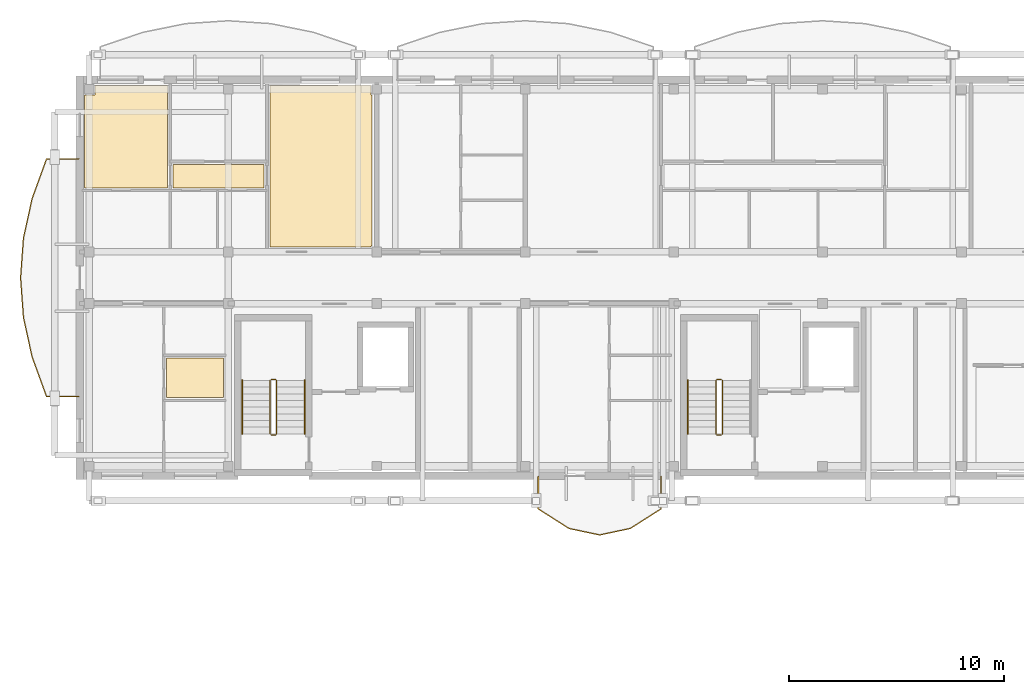
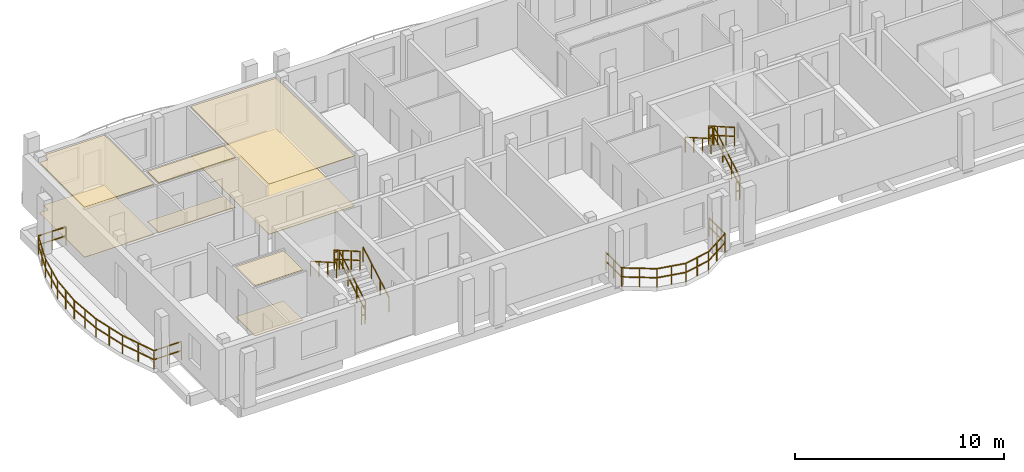
# One storey, part 38 of 44: 13 railings, 8 coverings.
"""IFC4 building model written with IfcOpenShell, lengths in metres."""

from ifc_helpers import new_model, si_unit, direction, frame, origin, origin_2d, place, context, subcontext, project, spatial, polyline, rectangle, outline, extrude, material, layer, layer_set, type_object, element, save


model = new_model("IFC4")

# Units and contexts
model_context = context("Model", 3, precision=1e-05, world=origin(), true_north=direction((0.0, 1.0)))
body_context = subcontext(model_context, "Body", "Model", "MODEL_VIEW")
ifc_project = project(units=[si_unit("LENGTHUNIT", "METRE"), si_unit("AREAUNIT", "SQUARE_METRE"), si_unit("VOLUMEUNIT", "CUBIC_METRE"), si_unit("PLANEANGLEUNIT", "RADIAN"), si_unit("MASSUNIT", "GRAM", prefix="KILO")], contexts=[model_context])

# Site, building, storey
site_placement = place(None, origin())
site = spatial("IfcSite", under=ifc_project, at=site_placement, CompositionType="ELEMENT")
building_placement = place(site_placement, origin())
building = spatial("IfcBuilding", under=site, at=building_placement, Name="Zavelmont Quarter", CompositionType="ELEMENT")
storey_placement = place(building_placement, frame((0.0, 0.0, 20.800048828125)))
storey = spatial("IfcBuildingStorey", under=building, at=storey_placement, Name="L06", CompositionType="ELEMENT", Elevation=20.800048828125)

# Coverings
ifc_material_1 = material(Name="Perforated acoustic gypsum board")
ifc_layer_1 = layer(ifc_material_1, 0.02490234375)
ifc_layer_set_1 = layer_set([ifc_layer_1], Name="Perforated acoustic gypsum board")
covering_type_1 = type_object("IfcCoveringType", Name="CV-CL01", PredefinedType="CEILING", material=ifc_layer_set_1)
covering_1_placement = place(storey_placement, frame((0.0, 0.0, 2.925048828125)))
element("IfcCovering", 1, at=covering_1_placement, inside=storey, type_object=covering_type_1, Name="L06 Double Bedroom acoustic ceiling", PredefinedType="CEILING", context=body_context, shape_type="SweptSolid", body=[
    extrude(outline(polyline([(0.22998046875, 115.294921875), (0.705078125, 115.294921875), (0.705078125, 115.719970703125), (4.070068359375, 115.719970703125), (4.070068359375, 110.97998046875), (0.22998046875, 110.97998046875), (0.22998046875, 115.294921875)])), origin(), (0.0, 0.0, 1.0), 0.02490234375),
])
covering_2_placement = place(storey_placement, frame((0.0, 0.0, 2.925048828125)))
element("IfcCovering", 2, at=covering_2_placement, inside=storey, type_object=covering_type_1, Name="L06 Living Dining acoustic ceiling", PredefinedType="CEILING", context=body_context, shape_type="SweptSolid", body=[
    extrude(outline(polyline([(8.830078125, 115.719970703125), (13.534912109375, 115.719970703125), (13.534912109375, 115.294921875), (13.570068359375, 115.294921875), (13.570068359375, 108.264892578125), (13.534912109375, 108.264892578125), (13.534912109375, 108.22998046875), (8.830078125, 108.22998046875), (8.830078125, 115.719970703125)])), origin(), (0.0, 0.0, 1.0), 0.02490234375),
])
ifc_material_2 = material(Name="Slatted European ash acoustic baffle ceiling")
ifc_layer_2 = layer(ifc_material_2, 0.0400390625)
ifc_layer_set_2 = layer_set([ifc_layer_2], Name="Slatted European ash acoustic baffle ceiling")
covering_type_2 = type_object("IfcCoveringType", Name="CV-CL02", PredefinedType="CEILING", material=ifc_layer_set_2)
covering_3_placement = place(storey_placement, frame((0.0, 0.0, 2.909912109375)))
element("IfcCovering", 3, at=covering_3_placement, inside=storey, type_object=covering_type_2, Name="L06 Apartment Hall acoustic ceiling", PredefinedType="CEILING", context=body_context, shape_type="SweptSolid", body=[
    extrude(outline(polyline([(4.330078125, 112.070068359375), (8.570068359375, 112.070068359375), (8.570068359375, 110.97998046875), (4.330078125, 110.97998046875), (4.330078125, 112.070068359375)])), origin(), (0.0, 0.0, 1.0), 0.0400390625),
])
ifc_material_3 = material(Name="Moisture-resistant painted gypsum ceiling")
ifc_layer_3 = layer(ifc_material_3, 0.02001953125)
ifc_layer_set_3 = layer_set([ifc_layer_3], Name="Moisture-resistant painted gypsum ceiling")
covering_type_3 = type_object("IfcCoveringType", Name="CV-CL04", PredefinedType="CEILING", material=ifc_layer_set_3)
covering_4_placement = place(storey_placement, frame((0.0, 0.0, 2.929931640625)))
element("IfcCovering", 4, at=covering_4_placement, inside=storey, type_object=covering_type_3, Name="L06 Bathroom acoustic ceiling", PredefinedType="CEILING", context=body_context, shape_type="SweptSolid", body=[
    extrude(outline(polyline([(4.030029296875, 103.070068359375), (6.669921875, 103.070068359375), (6.669921875, 101.22998046875), (4.030029296875, 101.22998046875), (4.030029296875, 103.070068359375)])), origin(), (0.0, 0.0, 1.0), 0.02001953125),
])
ifc_material_4 = material(Name="Engineered European oak parquet")
ifc_layer_4 = layer(ifc_material_4, 0.02197265625)
ifc_layer_set_4 = layer_set([ifc_layer_4], Name="Engineered European oak parquet")
covering_type_4 = type_object("IfcCoveringType", Name="CV-FL01", PredefinedType="FLOORING", material=ifc_layer_set_4)
covering_5_placement = place(storey_placement, origin())
element("IfcCovering", 5, at=covering_5_placement, inside=storey, type_object=covering_type_4, Name="L06 Double Bedroom floor finish", PredefinedType="FLOORING", context=body_context, shape_type="SweptSolid", body=[
    extrude(outline(polyline([(0.22998046875, 115.294921875), (0.705078125, 115.294921875), (0.705078125, 115.719970703125), (4.070068359375, 115.719970703125), (4.070068359375, 110.97998046875), (0.22998046875, 110.97998046875), (0.22998046875, 115.294921875)])), origin(), (0.0, 0.0, 1.0), 0.02197265625),
])
covering_6_placement = place(storey_placement, origin())
element("IfcCovering", 6, at=covering_6_placement, inside=storey, type_object=covering_type_4, Name="L06 Living Dining floor finish", PredefinedType="FLOORING", context=body_context, shape_type="SweptSolid", body=[
    extrude(outline(polyline([(8.830078125, 115.719970703125), (13.534912109375, 115.719970703125), (13.534912109375, 115.294921875), (13.570068359375, 115.294921875), (13.570068359375, 108.264892578125), (13.534912109375, 108.264892578125), (13.534912109375, 108.22998046875), (8.830078125, 108.22998046875), (8.830078125, 115.719970703125)])), origin(), (0.0, 0.0, 1.0), 0.02197265625),
])
ifc_material_5 = material(Name="Honed Belgian bluestone tile", Category="masonry")
ifc_layer_5 = layer(ifc_material_5, 0.030029296875)
ifc_layer_set_5 = layer_set([ifc_layer_5], Name="Honed Belgian bluestone tile")
covering_type_5 = type_object("IfcCoveringType", Name="CV-FL02", PredefinedType="FLOORING", material=ifc_layer_set_5)
covering_7_placement = place(storey_placement, origin())
element("IfcCovering", 7, at=covering_7_placement, inside=storey, type_object=covering_type_5, Name="L06 Apartment Hall floor finish", PredefinedType="FLOORING", context=body_context, shape_type="SweptSolid", body=[
    extrude(outline(polyline([(4.330078125, 112.070068359375), (8.570068359375, 112.070068359375), (8.570068359375, 110.97998046875), (4.330078125, 110.97998046875), (4.330078125, 112.070068359375)])), origin(), (0.0, 0.0, 1.0), 0.030029296875),
])
ifc_material_6 = material(Name="Slip-resistant porcelain tile")
ifc_layer_6 = layer(ifc_material_6, 0.02587890625)
ifc_layer_set_6 = layer_set([ifc_layer_6], Name="Slip-resistant porcelain tile")
covering_type_6 = type_object("IfcCoveringType", Name="CV-FL04", PredefinedType="FLOORING", material=ifc_layer_set_6)
covering_8_placement = place(storey_placement, origin())
element("IfcCovering", 8, at=covering_8_placement, inside=storey, type_object=covering_type_6, Name="L06 Bathroom floor finish", PredefinedType="FLOORING", context=body_context, shape_type="SweptSolid", body=[
    extrude(outline(polyline([(4.030029296875, 103.070068359375), (6.669921875, 103.070068359375), (6.669921875, 101.22998046875), (4.030029296875, 101.22998046875), (4.030029296875, 103.070068359375)])), origin(), (0.0, 0.0, 1.0), 0.02587890625),
])

# Railings
ifc_material_7 = material(Name="Powder-coated steel and tempered double safety glass", Category="steel")
railing_type_1 = type_object("IfcRailingType", Name="RL-BAL1", PredefinedType="BALUSTRADE", material=ifc_material_7)
railing_1_placement = place(storey_placement, frame((-0.02001953125, 112.325439453125, 0.0)))
element("IfcRailing", 9, at=railing_1_placement, inside=storey, type_object=railing_type_1, Name="L06 Block B curved balcony guard RL-BAL1", PredefinedType="BALUSTRADE", context=body_context, shape_type="SweptSolid", body=[
    extrude(rectangle(XDim=0.048095703125, YDim=0.048095703125, at=origin_2d()), frame((0.0, 0.0, 1.076171875), z_axis=(-1.0, 0.0, 0.0), x_axis=(0.0, -1.0, 0.0)), (0.0, 0.0, 1.0), 1.518798828125),
    extrude(rectangle(XDim=0.048095703125, YDim=0.048095703125, at=origin_2d()), frame((0.0, 0.0, 0.550048828125), z_axis=(-1.0, 0.0, 0.0), x_axis=(0.0, -1.0, 0.0)), (0.0, 0.0, 1.0), 1.518798828125),
    extrude(rectangle(XDim=0.048095703125, YDim=0.048095703125, at=origin_2d()), frame((-1.518798828125, 0.0, 1.076171875), z_axis=(-0.342702755055, -0.939443889584, 0.0), x_axis=(0.939443889584, -0.342702755055, 0.0)), (0.0, 0.0, 1.0), 1.96044921875),
    extrude(rectangle(XDim=0.048095703125, YDim=0.048095703125, at=origin_2d()), frame((-1.518798828125, 0.0, 0.550048828125), z_axis=(-0.342702755055, -0.939443889584, 0.0), x_axis=(0.939443889584, -0.342702755055, 0.0)), (0.0, 0.0, 1.0), 1.96044921875),
    extrude(rectangle(XDim=0.048095703125, YDim=0.048095703125, at=origin_2d()), frame((-2.190673828125, -1.841796875, 1.076171875), z_axis=(-0.213789561022, -0.976879738554, 0.0), x_axis=(0.976879738554, -0.213789561022, 0.0)), (0.0, 0.0, 1.0), 1.885498046875),
    extrude(rectangle(XDim=0.048095703125, YDim=0.048095703125, at=origin_2d()), frame((-2.190673828125, -1.841796875, 0.550048828125), z_axis=(-0.213789561022, -0.976879738554, 0.0), x_axis=(0.976879738554, -0.213789561022, 0.0)), (0.0, 0.0, 1.0), 1.885498046875),
    extrude(rectangle(XDim=0.048095703125, YDim=0.048095703125, at=origin_2d()), frame((-2.59375, -3.68359375, 1.076171875), z_axis=(-0.072712634293, -0.997352932925, 0.0), x_axis=(0.997352932925, -0.072712634293, 0.0)), (0.0, 0.0, 1.0), 1.8466796875),
    extrude(rectangle(XDim=0.048095703125, YDim=0.048095703125, at=origin_2d()), frame((-2.59375, -3.68359375, 0.550048828125), z_axis=(-0.072712634293, -0.997352932925, 0.0), x_axis=(0.997352932925, -0.072712634293, 0.0)), (0.0, 0.0, 1.0), 1.8466796875),
    extrude(rectangle(XDim=0.048095703125, YDim=0.048095703125, at=origin_2d()), frame((-2.72802734375, -5.525390625, 1.076171875), z_axis=(0.072712634293, -0.997352932925, 0.0), x_axis=(0.997352932925, 0.072712634293, 0.0)), (0.0, 0.0, 1.0), 1.8466796875),
    extrude(rectangle(XDim=0.048095703125, YDim=0.048095703125, at=origin_2d()), frame((-2.72802734375, -5.525390625, 0.550048828125), z_axis=(0.072712634293, -0.997352932925, 0.0), x_axis=(0.997352932925, 0.072712634293, 0.0)), (0.0, 0.0, 1.0), 1.8466796875),
    extrude(rectangle(XDim=0.048095703125, YDim=0.048095703125, at=origin_2d()), frame((-2.59375, -7.3671875, 1.076171875), z_axis=(0.213762520604, -0.976885655942, 0.0), x_axis=(0.976885655942, 0.213762520604, 0.0)), (0.0, 0.0, 1.0), 1.8857421875),
    extrude(rectangle(XDim=0.048095703125, YDim=0.048095703125, at=origin_2d()), frame((-2.59375, -7.3671875, 0.550048828125), z_axis=(0.213762520604, -0.976885655942, 0.0), x_axis=(0.976885655942, 0.213762520604, 0.0)), (0.0, 0.0, 1.0), 1.8857421875),
    extrude(rectangle(XDim=0.048095703125, YDim=0.048095703125, at=origin_2d()), frame((-2.190673828125, -9.209228515625, 1.076171875), z_axis=(0.342702755055, -0.939443889584, 0.0), x_axis=(0.939443889584, 0.342702755055, 0.0)), (0.0, 0.0, 1.0), 1.96044921875),
    extrude(rectangle(XDim=0.048095703125, YDim=0.048095703125, at=origin_2d()), frame((-2.190673828125, -9.209228515625, 0.550048828125), z_axis=(0.342702755055, -0.939443889584, 0.0), x_axis=(0.939443889584, 0.342702755055, 0.0)), (0.0, 0.0, 1.0), 1.96044921875),
    extrude(rectangle(XDim=0.048095703125, YDim=0.048095703125, at=origin_2d()), frame((-1.518798828125, -11.051025390625, 1.076171875), z_axis=(1.0, 0.0, 0.0), x_axis=(0.0, 1.0, 0.0)), (0.0, 0.0, 1.0), 1.518798828125),
    extrude(rectangle(XDim=0.048095703125, YDim=0.048095703125, at=origin_2d()), frame((-1.518798828125, -11.051025390625, 0.550048828125), z_axis=(1.0, 0.0, 0.0), x_axis=(0.0, 1.0, 0.0)), (0.0, 0.0, 1.0), 1.518798828125),
    extrude(rectangle(XDim=0.0419921875, YDim=0.0419921875, at=origin_2d()), origin(), (0.0, 0.0, 1.0), 1.052001953125),
    extrude(rectangle(XDim=0.0419921875, YDim=0.0419921875, at=origin_2d()), frame((-0.75927734375, 0.0, 0.0)), (0.0, 0.0, 1.0), 1.052001953125),
    extrude(rectangle(XDim=0.0419921875, YDim=0.0419921875, at=origin_2d()), frame((-1.518798828125, 0.0, 0.0)), (0.0, 0.0, 1.0), 1.052001953125),
    extrude(rectangle(XDim=0.0419921875, YDim=0.0419921875, at=origin_2d()), frame((-1.854736328125, -0.9208984375, 0.0)), (0.0, 0.0, 1.0), 1.052001953125),
    extrude(rectangle(XDim=0.0419921875, YDim=0.0419921875, at=origin_2d()), frame((-2.190673828125, -1.841796875, 0.0)), (0.0, 0.0, 1.0), 1.052001953125),
    extrude(rectangle(XDim=0.0419921875, YDim=0.0419921875, at=origin_2d()), frame((-2.39208984375, -2.7626953125, 0.0)), (0.0, 0.0, 1.0), 1.052001953125),
    extrude(rectangle(XDim=0.0419921875, YDim=0.0419921875, at=origin_2d()), frame((-2.59375, -3.68359375, 0.0)), (0.0, 0.0, 1.0), 1.052001953125),
    extrude(rectangle(XDim=0.0419921875, YDim=0.0419921875, at=origin_2d()), frame((-2.660888671875, -4.6044921875, 0.0)), (0.0, 0.0, 1.0), 1.052001953125),
    extrude(rectangle(XDim=0.0419921875, YDim=0.0419921875, at=origin_2d()), frame((-2.72802734375, -5.525390625, 0.0)), (0.0, 0.0, 1.0), 1.052001953125),
    extrude(rectangle(XDim=0.0419921875, YDim=0.0419921875, at=origin_2d()), frame((-2.660888671875, -6.4462890625, 0.0)), (0.0, 0.0, 1.0), 1.052001953125),
    extrude(rectangle(XDim=0.0419921875, YDim=0.0419921875, at=origin_2d()), frame((-2.59375, -7.3671875, 0.0)), (0.0, 0.0, 1.0), 1.052001953125),
    extrude(rectangle(XDim=0.0419921875, YDim=0.0419921875, at=origin_2d()), frame((-2.39208984375, -8.2880859375, 0.0)), (0.0, 0.0, 1.0), 1.052001953125),
    extrude(rectangle(XDim=0.0419921875, YDim=0.0419921875, at=origin_2d()), frame((-2.190673828125, -9.209228515625, 0.0)), (0.0, 0.0, 1.0), 1.052001953125),
    extrude(rectangle(XDim=0.0419921875, YDim=0.0419921875, at=origin_2d()), frame((-1.854736328125, -10.130126953125, 0.0)), (0.0, 0.0, 1.0), 1.052001953125),
    extrude(rectangle(XDim=0.0419921875, YDim=0.0419921875, at=origin_2d()), frame((-1.518798828125, -11.051025390625, 0.0)), (0.0, 0.0, 1.0), 1.052001953125),
    extrude(rectangle(XDim=0.0419921875, YDim=0.0419921875, at=origin_2d()), frame((-0.75927734375, -11.051025390625, 0.0)), (0.0, 0.0, 1.0), 1.052001953125),
    extrude(rectangle(XDim=0.0419921875, YDim=0.0419921875, at=origin_2d()), frame((0.0, -11.051025390625, 0.0)), (0.0, 0.0, 1.0), 1.052001953125),
])
railing_2_placement = place(storey_placement, frame((21.300048828125, 97.580078125, 0.0)))
element("IfcRailing", 10, at=railing_2_placement, inside=storey, type_object=railing_type_1, Name="L06 Block B curved balcony guard RL-BAL1", PredefinedType="BALUSTRADE", context=body_context, shape_type="SweptSolid", body=[
    extrude(rectangle(XDim=0.048095703125, YDim=0.048095703125, at=origin_2d()), frame((0.0, 0.0, 1.076171875), z_axis=(0.0, -1.0, 0.0), x_axis=(1.0, 0.0, 0.0)), (0.0, 0.0, 1.0), 1.51904296875),
    extrude(rectangle(XDim=0.048095703125, YDim=0.048095703125, at=origin_2d()), frame((0.0, 0.0, 0.550048828125), z_axis=(0.0, -1.0, 0.0), x_axis=(1.0, 0.0, 0.0)), (0.0, 0.0, 1.0), 1.51904296875),
    extrude(rectangle(XDim=0.048095703125, YDim=0.048095703125, at=origin_2d()), frame((0.0, -1.51904296875, 1.076171875), z_axis=(0.843691245069, -0.536828727803, 0.0), x_axis=(0.536828727803, 0.843691245069, 0.0)), (0.0, 0.0, 1.0), 1.68896484375),
    extrude(rectangle(XDim=0.048095703125, YDim=0.048095703125, at=origin_2d()), frame((0.0, -1.51904296875, 0.550048828125), z_axis=(0.843691245069, -0.536828727803, 0.0), x_axis=(0.536828727803, 0.843691245069, 0.0)), (0.0, 0.0, 1.0), 1.68896484375),
    extrude(rectangle(XDim=0.048095703125, YDim=0.048095703125, at=origin_2d()), frame((1.425048828125, -2.42578125, 1.076171875), z_axis=(0.978232062941, -0.207513929733, 0.0), x_axis=(0.207513929733, 0.978232062941, 0.0)), (0.0, 0.0, 1.0), 1.45654296875),
    extrude(rectangle(XDim=0.048095703125, YDim=0.048095703125, at=origin_2d()), frame((1.425048828125, -2.42578125, 0.550048828125), z_axis=(0.978232062941, -0.207513929733, 0.0), x_axis=(0.207513929733, 0.978232062941, 0.0)), (0.0, 0.0, 1.0), 1.45654296875),
    extrude(rectangle(XDim=0.048095703125, YDim=0.048095703125, at=origin_2d()), frame((2.849853515625, -2.72802734375, 1.076171875), z_axis=(0.978239279237, 0.207479908805, 0.0), x_axis=(-0.207479908805, 0.978239279237, 0.0)), (0.0, 0.0, 1.0), 1.456787109375),
    extrude(rectangle(XDim=0.048095703125, YDim=0.048095703125, at=origin_2d()), frame((2.849853515625, -2.72802734375, 0.550048828125), z_axis=(0.978239279237, 0.207479908805, 0.0), x_axis=(-0.207479908805, 0.978239279237, 0.0)), (0.0, 0.0, 1.0), 1.456787109375),
    extrude(rectangle(XDim=0.048095703125, YDim=0.048095703125, at=origin_2d()), frame((4.27490234375, -2.42578125, 1.076171875), z_axis=(0.843691245069, 0.536828727803, 0.0), x_axis=(-0.536828727803, 0.843691245069, 0.0)), (0.0, 0.0, 1.0), 1.68896484375),
    extrude(rectangle(XDim=0.048095703125, YDim=0.048095703125, at=origin_2d()), frame((4.27490234375, -2.42578125, 0.550048828125), z_axis=(0.843691245069, 0.536828727803, 0.0), x_axis=(-0.536828727803, 0.843691245069, 0.0)), (0.0, 0.0, 1.0), 1.68896484375),
    extrude(rectangle(XDim=0.048095703125, YDim=0.048095703125, at=origin_2d()), frame((5.699951171875, -1.51904296875, 1.076171875), z_axis=(0.0, 1.0, 0.0), x_axis=(-1.0, 0.0, 0.0)), (0.0, 0.0, 1.0), 1.51904296875),
    extrude(rectangle(XDim=0.048095703125, YDim=0.048095703125, at=origin_2d()), frame((5.699951171875, -1.51904296875, 0.550048828125), z_axis=(0.0, 1.0, 0.0), x_axis=(-1.0, 0.0, 0.0)), (0.0, 0.0, 1.0), 1.51904296875),
    extrude(rectangle(XDim=0.0419921875, YDim=0.0419921875, at=origin_2d()), origin(), (0.0, 0.0, 1.0), 1.052001953125),
    extrude(rectangle(XDim=0.0419921875, YDim=0.0419921875, at=origin_2d()), frame((0.0, -0.759521484375, 0.0)), (0.0, 0.0, 1.0), 1.052001953125),
    extrude(rectangle(XDim=0.0419921875, YDim=0.0419921875, at=origin_2d()), frame((0.0, -1.51904296875, 0.0)), (0.0, 0.0, 1.0), 1.052001953125),
    extrude(rectangle(XDim=0.0419921875, YDim=0.0419921875, at=origin_2d()), frame((0.71240234375, -1.972412109375, 0.0)), (0.0, 0.0, 1.0), 1.052001953125),
    extrude(rectangle(XDim=0.0419921875, YDim=0.0419921875, at=origin_2d()), frame((1.425048828125, -2.42578125, 0.0)), (0.0, 0.0, 1.0), 1.052001953125),
    extrude(rectangle(XDim=0.0419921875, YDim=0.0419921875, at=origin_2d()), frame((2.137451171875, -2.576904296875, 0.0)), (0.0, 0.0, 1.0), 1.052001953125),
    extrude(rectangle(XDim=0.0419921875, YDim=0.0419921875, at=origin_2d()), frame((2.849853515625, -2.72802734375, 0.0)), (0.0, 0.0, 1.0), 1.052001953125),
    extrude(rectangle(XDim=0.0419921875, YDim=0.0419921875, at=origin_2d()), frame((3.5625, -2.576904296875, 0.0)), (0.0, 0.0, 1.0), 1.052001953125),
    extrude(rectangle(XDim=0.0419921875, YDim=0.0419921875, at=origin_2d()), frame((4.27490234375, -2.42578125, 0.0)), (0.0, 0.0, 1.0), 1.052001953125),
    extrude(rectangle(XDim=0.0419921875, YDim=0.0419921875, at=origin_2d()), frame((4.9873046875, -1.972412109375, 0.0)), (0.0, 0.0, 1.0), 1.052001953125),
    extrude(rectangle(XDim=0.0419921875, YDim=0.0419921875, at=origin_2d()), frame((5.699951171875, -1.51904296875, 0.0)), (0.0, 0.0, 1.0), 1.052001953125),
    extrude(rectangle(XDim=0.0419921875, YDim=0.0419921875, at=origin_2d()), frame((5.699951171875, -0.759521484375, 0.0)), (0.0, 0.0, 1.0), 1.052001953125),
    extrude(rectangle(XDim=0.0419921875, YDim=0.0419921875, at=origin_2d()), frame((5.699951171875, 0.0, 0.0)), (0.0, 0.0, 1.0), 1.052001953125),
])
ifc_material_8 = material(Name="Powder-coated steel stair guardrail", Category="steel")
railing_type_2 = type_object("IfcRailingType", Name="RL-GRD1", PredefinedType="GUARDRAIL", material=ifc_material_8)
railing_3_placement = place(storey_placement, frame((9.14990234375, 99.550048828125, 0.177734375)))
element("IfcRailing", 11, at=railing_3_placement, inside=storey, type_object=railing_type_2, Name="L06 ST03 stair guardrail 1", PredefinedType="GUARDRAIL", context=body_context, shape_type="SweptSolid", body=[
    extrude(rectangle(XDim=0.048095703125, YDim=0.048095703125, at=origin_2d()), frame((0.0, 0.0, 1.076171875), z_axis=(0.0, 0.867490628297, 0.497453525283), x_axis=(-1.0, 0.0, 0.0)), (0.0, 0.0, 1.0), 2.85888671875),
    extrude(rectangle(XDim=0.048095703125, YDim=0.048095703125, at=origin_2d()), frame((0.0, 0.0, 0.550048828125), z_axis=(0.0, 0.867490628297, 0.497453525283), x_axis=(-1.0, 0.0, 0.0)), (0.0, 0.0, 1.0), 2.85888671875),
    extrude(rectangle(XDim=0.0419921875, YDim=0.0419921875, at=origin_2d()), origin(), (0.0, 0.0, 1.0), 1.052001953125),
    extrude(rectangle(XDim=0.0419921875, YDim=0.0419921875, at=origin_2d()), frame((0.0, 0.82666015625, 0.47412109375)), (0.0, 0.0, 1.0), 1.052001953125),
    extrude(rectangle(XDim=0.0419921875, YDim=0.0419921875, at=origin_2d()), frame((0.0, 1.6533203125, 0.947998046875)), (0.0, 0.0, 1.0), 1.052001953125),
    extrude(rectangle(XDim=0.0419921875, YDim=0.0419921875, at=origin_2d()), frame((0.0, 2.47998046875, 1.422119140625)), (0.0, 0.0, 1.0), 1.052001953125),
])
railing_4_placement = place(storey_placement, frame((9.10009765625, 102.080078125, 1.599853515625)))
element("IfcRailing", 12, at=railing_4_placement, inside=storey, type_object=railing_type_2, Name="L06 ST03 stair guardrail 2", PredefinedType="GUARDRAIL", context=body_context, shape_type="SweptSolid", body=[
    extrude(rectangle(XDim=0.048095703125, YDim=0.048095703125, at=origin_2d()), frame((0.0, 0.0, 1.076171875), z_axis=(-1.0, 0.0, 0.0), x_axis=(0.0, -1.0, 0.0)), (0.0, 0.0, 1.0), 0.2001953125),
    extrude(rectangle(XDim=0.048095703125, YDim=0.048095703125, at=origin_2d()), frame((0.0, 0.0, 0.550048828125), z_axis=(-1.0, 0.0, 0.0), x_axis=(0.0, -1.0, 0.0)), (0.0, 0.0, 1.0), 0.2001953125),
    extrude(rectangle(XDim=0.0419921875, YDim=0.0419921875, at=origin_2d()), origin(), (0.0, 0.0, 1.0), 1.052001953125),
    extrude(rectangle(XDim=0.0419921875, YDim=0.0419921875, at=origin_2d()), frame((-0.2001953125, 0.0, 0.0)), (0.0, 0.0, 1.0), 1.052001953125),
])
railing_5_placement = place(storey_placement, frame((8.85009765625, 102.030029296875, 1.77783203125)))
element("IfcRailing", 13, at=railing_5_placement, inside=storey, type_object=railing_type_2, Name="L06 ST03 stair guardrail 3", PredefinedType="GUARDRAIL", context=body_context, shape_type="SweptSolid", body=[
    extrude(rectangle(XDim=0.048095703125, YDim=0.048095703125, at=origin_2d()), frame((0.0, 0.0, 1.076171875), z_axis=(0.0, -0.867490628297, 0.497453525283), x_axis=(1.0, 0.0, 0.0)), (0.0, 0.0, 1.0), 2.85888671875),
    extrude(rectangle(XDim=0.048095703125, YDim=0.048095703125, at=origin_2d()), frame((0.0, 0.0, 0.550048828125), z_axis=(0.0, -0.867490628297, 0.497453525283), x_axis=(1.0, 0.0, 0.0)), (0.0, 0.0, 1.0), 2.85888671875),
    extrude(rectangle(XDim=0.0419921875, YDim=0.0419921875, at=origin_2d()), origin(), (0.0, 0.0, 1.0), 1.052001953125),
    extrude(rectangle(XDim=0.0419921875, YDim=0.0419921875, at=origin_2d()), frame((0.0, -0.82666015625, 0.47412109375)), (0.0, 0.0, 1.0), 1.052001953125),
    extrude(rectangle(XDim=0.0419921875, YDim=0.0419921875, at=origin_2d()), frame((0.0, -1.6533203125, 0.947998046875)), (0.0, 0.0, 1.0), 1.052001953125),
    extrude(rectangle(XDim=0.0419921875, YDim=0.0419921875, at=origin_2d()), frame((0.0, -2.47998046875, 1.422119140625)), (0.0, 0.0, 1.0), 1.052001953125),
])
railing_6_placement = place(storey_placement, frame((9.10009765625, 99.5, 0.0)))
element("IfcRailing", 14, at=railing_6_placement, inside=storey, type_object=railing_type_2, Name="L06 ST03 stair guardrail 4", PredefinedType="GUARDRAIL", context=body_context, shape_type="SweptSolid", body=[
    extrude(rectangle(XDim=0.048095703125, YDim=0.048095703125, at=origin_2d()), frame((0.0, 0.0, 1.076171875), z_axis=(-1.0, 0.0, 0.0), x_axis=(0.0, -1.0, 0.0)), (0.0, 0.0, 1.0), 0.2001953125),
    extrude(rectangle(XDim=0.048095703125, YDim=0.048095703125, at=origin_2d()), frame((0.0, 0.0, 0.550048828125), z_axis=(-1.0, 0.0, 0.0), x_axis=(0.0, -1.0, 0.0)), (0.0, 0.0, 1.0), 0.2001953125),
    extrude(rectangle(XDim=0.0419921875, YDim=0.0419921875, at=origin_2d()), origin(), (0.0, 0.0, 1.0), 1.052001953125),
    extrude(rectangle(XDim=0.0419921875, YDim=0.0419921875, at=origin_2d()), frame((-0.2001953125, 0.0, 0.0)), (0.0, 0.0, 1.0), 1.052001953125),
])
railing_7_placement = place(storey_placement, frame((29.85009765625, 99.550048828125, 0.177734375)))
element("IfcRailing", 15, at=railing_7_placement, inside=storey, type_object=railing_type_2, Name="L06 ST04 stair guardrail 1", PredefinedType="GUARDRAIL", context=body_context, shape_type="SweptSolid", body=[
    extrude(rectangle(XDim=0.048095703125, YDim=0.048095703125, at=origin_2d()), frame((0.0, 0.0, 1.076171875), z_axis=(0.0, 0.867490628297, 0.497453525283), x_axis=(-1.0, 0.0, 0.0)), (0.0, 0.0, 1.0), 2.85888671875),
    extrude(rectangle(XDim=0.048095703125, YDim=0.048095703125, at=origin_2d()), frame((0.0, 0.0, 0.550048828125), z_axis=(0.0, 0.867490628297, 0.497453525283), x_axis=(-1.0, 0.0, 0.0)), (0.0, 0.0, 1.0), 2.85888671875),
    extrude(rectangle(XDim=0.0419921875, YDim=0.0419921875, at=origin_2d()), origin(), (0.0, 0.0, 1.0), 1.052001953125),
    extrude(rectangle(XDim=0.0419921875, YDim=0.0419921875, at=origin_2d()), frame((0.0, 0.82666015625, 0.47412109375)), (0.0, 0.0, 1.0), 1.052001953125),
    extrude(rectangle(XDim=0.0419921875, YDim=0.0419921875, at=origin_2d()), frame((0.0, 1.6533203125, 0.947998046875)), (0.0, 0.0, 1.0), 1.052001953125),
    extrude(rectangle(XDim=0.0419921875, YDim=0.0419921875, at=origin_2d()), frame((0.0, 2.47998046875, 1.422119140625)), (0.0, 0.0, 1.0), 1.052001953125),
])
railing_8_placement = place(storey_placement, frame((29.800048828125, 102.080078125, 1.599853515625)))
element("IfcRailing", 16, at=railing_8_placement, inside=storey, type_object=railing_type_2, Name="L06 ST04 stair guardrail 2", PredefinedType="GUARDRAIL", context=body_context, shape_type="SweptSolid", body=[
    extrude(rectangle(XDim=0.048095703125, YDim=0.048095703125, at=origin_2d()), frame((0.0, 0.0, 1.076171875), z_axis=(-1.0, 0.0, 0.0), x_axis=(0.0, -1.0, 0.0)), (0.0, 0.0, 1.0), 0.199951171875),
    extrude(rectangle(XDim=0.048095703125, YDim=0.048095703125, at=origin_2d()), frame((0.0, 0.0, 0.550048828125), z_axis=(-1.0, 0.0, 0.0), x_axis=(0.0, -1.0, 0.0)), (0.0, 0.0, 1.0), 0.199951171875),
    extrude(rectangle(XDim=0.0419921875, YDim=0.0419921875, at=origin_2d()), origin(), (0.0, 0.0, 1.0), 1.052001953125),
    extrude(rectangle(XDim=0.0419921875, YDim=0.0419921875, at=origin_2d()), frame((-0.199951171875, 0.0, 0.0)), (0.0, 0.0, 1.0), 1.052001953125),
])
railing_9_placement = place(storey_placement, frame((29.550048828125, 102.030029296875, 1.77783203125)))
element("IfcRailing", 17, at=railing_9_placement, inside=storey, type_object=railing_type_2, Name="L06 ST04 stair guardrail 3", PredefinedType="GUARDRAIL", context=body_context, shape_type="SweptSolid", body=[
    extrude(rectangle(XDim=0.048095703125, YDim=0.048095703125, at=origin_2d()), frame((0.0, 0.0, 1.076171875), z_axis=(0.0, -0.867490628297, 0.497453525283), x_axis=(1.0, 0.0, 0.0)), (0.0, 0.0, 1.0), 2.85888671875),
    extrude(rectangle(XDim=0.048095703125, YDim=0.048095703125, at=origin_2d()), frame((0.0, 0.0, 0.550048828125), z_axis=(0.0, -0.867490628297, 0.497453525283), x_axis=(1.0, 0.0, 0.0)), (0.0, 0.0, 1.0), 2.85888671875),
    extrude(rectangle(XDim=0.0419921875, YDim=0.0419921875, at=origin_2d()), origin(), (0.0, 0.0, 1.0), 1.052001953125),
    extrude(rectangle(XDim=0.0419921875, YDim=0.0419921875, at=origin_2d()), frame((0.0, -0.82666015625, 0.47412109375)), (0.0, 0.0, 1.0), 1.052001953125),
    extrude(rectangle(XDim=0.0419921875, YDim=0.0419921875, at=origin_2d()), frame((0.0, -1.6533203125, 0.947998046875)), (0.0, 0.0, 1.0), 1.052001953125),
    extrude(rectangle(XDim=0.0419921875, YDim=0.0419921875, at=origin_2d()), frame((0.0, -2.47998046875, 1.422119140625)), (0.0, 0.0, 1.0), 1.052001953125),
])
railing_10_placement = place(storey_placement, frame((29.800048828125, 99.5, 0.0)))
element("IfcRailing", 18, at=railing_10_placement, inside=storey, type_object=railing_type_2, Name="L06 ST04 stair guardrail 4", PredefinedType="GUARDRAIL", context=body_context, shape_type="SweptSolid", body=[
    extrude(rectangle(XDim=0.048095703125, YDim=0.048095703125, at=origin_2d()), frame((0.0, 0.0, 1.076171875), z_axis=(-1.0, 0.0, 0.0), x_axis=(0.0, -1.0, 0.0)), (0.0, 0.0, 1.0), 0.199951171875),
    extrude(rectangle(XDim=0.048095703125, YDim=0.048095703125, at=origin_2d()), frame((0.0, 0.0, 0.550048828125), z_axis=(-1.0, 0.0, 0.0), x_axis=(0.0, -1.0, 0.0)), (0.0, 0.0, 1.0), 0.199951171875),
    extrude(rectangle(XDim=0.0419921875, YDim=0.0419921875, at=origin_2d()), origin(), (0.0, 0.0, 1.0), 1.052001953125),
    extrude(rectangle(XDim=0.0419921875, YDim=0.0419921875, at=origin_2d()), frame((-0.199951171875, 0.0, 0.0)), (0.0, 0.0, 1.0), 1.052001953125),
])
ifc_material_9 = material(Name="Brushed stainless-steel wall handrail", Category="steel")
railing_type_3 = type_object("IfcRailingType", Name="RL-HND1", PredefinedType="HANDRAIL", material=ifc_material_9)
railing_11_placement = place(storey_placement, frame((10.449951171875, 99.550048828125, 0.177734375)))
element("IfcRailing", 19, at=railing_11_placement, inside=storey, type_object=railing_type_3, Name="L06 ST03 stair handrail 1", PredefinedType="HANDRAIL", context=body_context, shape_type="SweptSolid", body=[
    extrude(rectangle(XDim=0.048095703125, YDim=0.048095703125, at=origin_2d()), frame((0.0, 0.0, 0.8759765625), z_axis=(0.0, 0.867490628297, 0.497453525283), x_axis=(-1.0, 0.0, 0.0)), (0.0, 0.0, 1.0), 2.85888671875),
    extrude(rectangle(XDim=0.0419921875, YDim=0.0419921875, at=origin_2d()), origin(), (0.0, 0.0, 1.0), 0.851806640625),
    extrude(rectangle(XDim=0.0419921875, YDim=0.0419921875, at=origin_2d()), frame((0.0, 0.82666015625, 0.47412109375)), (0.0, 0.0, 1.0), 0.851806640625),
    extrude(rectangle(XDim=0.0419921875, YDim=0.0419921875, at=origin_2d()), frame((0.0, 1.6533203125, 0.947998046875)), (0.0, 0.0, 1.0), 0.851806640625),
    extrude(rectangle(XDim=0.0419921875, YDim=0.0419921875, at=origin_2d()), frame((0.0, 2.47998046875, 1.422119140625)), (0.0, 0.0, 1.0), 0.851806640625),
])
for number, where, name in (
    (20, (7.550048828125, 102.030029296875, 1.77783203125), "L06 ST03 stair handrail 2"),
    (21, (28.25, 102.030029296875, 1.77783203125), "L06 ST04 stair handrail 2"),
):
    element("IfcRailing", number, at=place(storey_placement, frame(where)), inside=storey, type_object=railing_type_3, Name=name, PredefinedType="HANDRAIL", context=body_context, shape_type="SweptSolid", body=[
        extrude(rectangle(XDim=0.048095703125, YDim=0.048095703125, at=origin_2d()), frame((0.0, 0.0, 0.8759765625), z_axis=(0.0, -0.867490628297, 0.497453525283), x_axis=(1.0, 0.0, 0.0)), (0.0, 0.0, 1.0), 2.85888671875),
        extrude(rectangle(XDim=0.0419921875, YDim=0.0419921875, at=origin_2d()), origin(), (0.0, 0.0, 1.0), 0.851806640625),
        extrude(rectangle(XDim=0.0419921875, YDim=0.0419921875, at=origin_2d()), frame((0.0, -0.82666015625, 0.47412109375)), (0.0, 0.0, 1.0), 0.851806640625),
        extrude(rectangle(XDim=0.0419921875, YDim=0.0419921875, at=origin_2d()), frame((0.0, -1.6533203125, 0.947998046875)), (0.0, 0.0, 1.0), 0.851806640625),
        extrude(rectangle(XDim=0.0419921875, YDim=0.0419921875, at=origin_2d()), frame((0.0, -2.47998046875, 1.422119140625)), (0.0, 0.0, 1.0), 0.851806640625),
    ])

save(model, "model.ifc")
